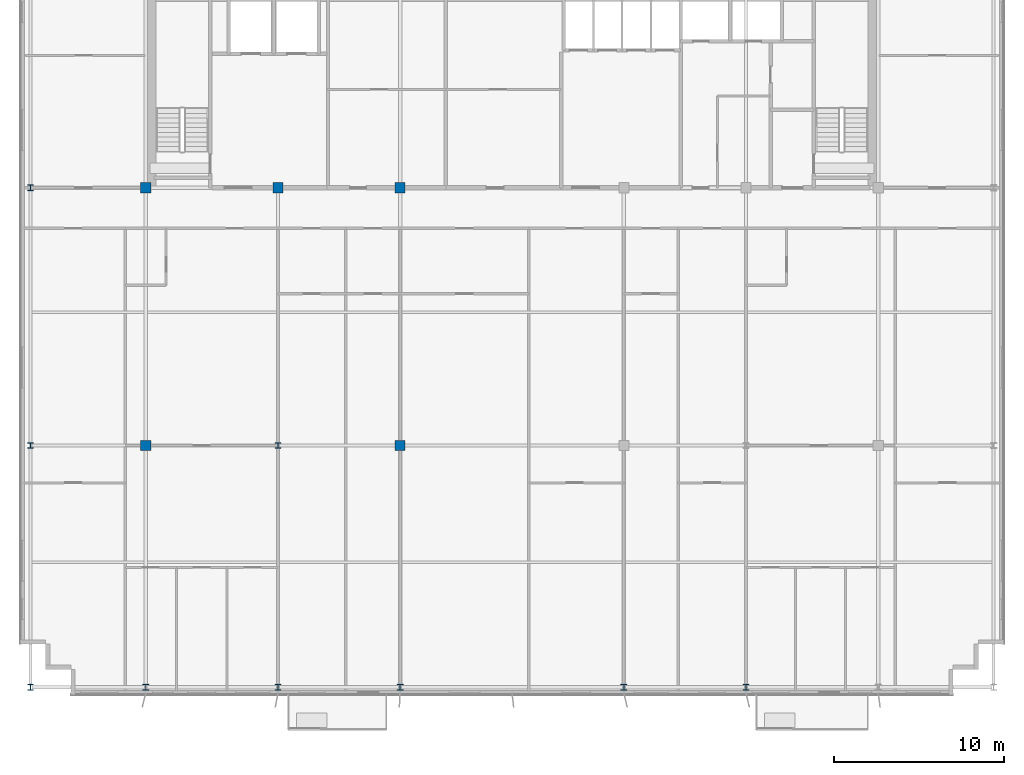
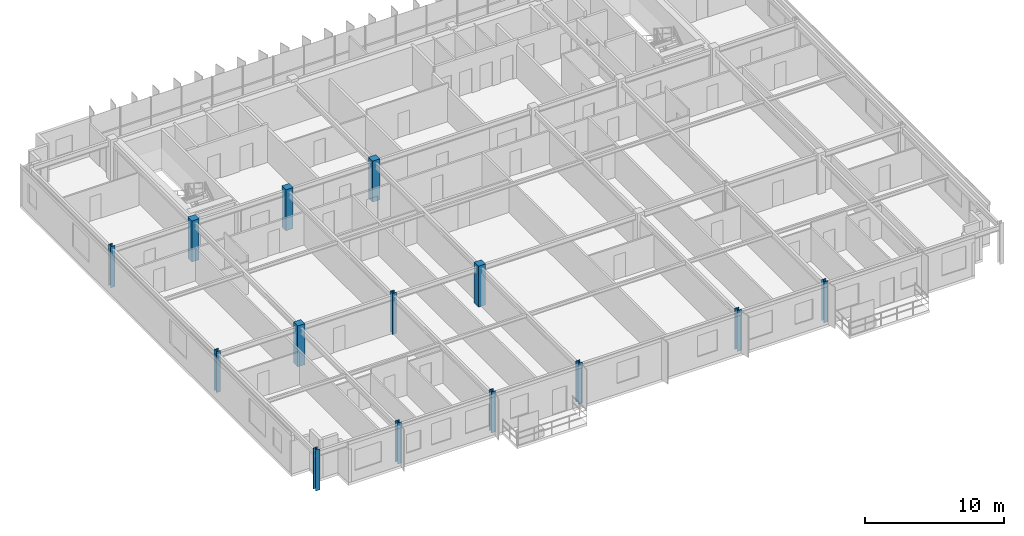
# One storey, part 1 of 22: 14 columns.
"""IFC4 building model written with IfcOpenShell, lengths in metres."""

from ifc_helpers import new_model, si_unit, direction, frame, origin, origin_2d, place, context, subcontext, project, spatial, rectangle, i_section, extrude, source, transform, mapped, material, material_profile, profile_set, type_object, element, save


model = new_model("IFC4")

# Units and contexts
model_context = context("Model", 3, precision=1e-05, world=origin(), true_north=direction((0.0, 1.0)))
body_context = subcontext(model_context, "Body", "Model", "MODEL_VIEW")
ifc_project = project(units=[si_unit("LENGTHUNIT", "METRE"), si_unit("AREAUNIT", "SQUARE_METRE"), si_unit("VOLUMEUNIT", "CUBIC_METRE"), si_unit("PLANEANGLEUNIT", "RADIAN"), si_unit("MASSUNIT", "GRAM", prefix="KILO")], contexts=[model_context])

# Site, building, storey
site_placement = place(None, origin())
site = spatial("IfcSite", under=ifc_project, at=site_placement, CompositionType="ELEMENT")
building_placement = place(site_placement, origin())
building = spatial("IfcBuilding", under=site, at=building_placement, Name="Trelvane Seafront Commons", CompositionType="ELEMENT")
storey_placement = place(building_placement, frame((0.0, 0.0, 281.10009765625)))
storey = spatial("IfcBuildingStorey", under=building, at=storey_placement, Name="L73", CompositionType="ELEMENT", Elevation=281.10009765625)

# Columns
ifc_material_1 = material(Name="Steel SM355 (S355)", Category="steel")
ifc_material_profile_1 = material_profile(ifc_material_1, i_section(OverallWidth=0.35009765625, OverallDepth=0.35009765625, WebThickness=0.01806640625, FlangeThickness=0.028076171875, at=origin_2d()), Name="HD-350x350x18x28")
ifc_profile_set_1 = profile_set([ifc_material_profile_1], Name="Steel SM355 (S355)")
column_type_1 = type_object("IfcColumnType", Name="STR-COL-HD350", PredefinedType="COLUMN", material=ifc_profile_set_1)
shared_shape_1 = source(origin(), body_context, "Body", "SweptSolid", [
    extrude(i_section(OverallWidth=0.35009765625, OverallDepth=0.35009765625, WebThickness=0.01806640625, FlangeThickness=0.028076171875, at=origin_2d()), origin(), (0.0, 0.0, 1.0), 3.599853515625),
])
for number, where, z_axis, x_axis, name in (
    (1, (8.800048828125, 3.949951171875, 0.0), (0.0, 0.0, 1.0), (1.0, 0.0, 0.0), "L73 Column TC-S8.8"),
    (2, (8.800048828125, 18.199951171875, 0.0), (0.0, 0.0, 1.0), (1.0, 0.0, 0.0), "L73 Column TC-M8.8"),
    (3, (8.800048828125, 33.39990234375, 0.0), (0.0, 0.0, 1.0), (1.0, 0.0, 0.0), "L73 Column TC-CS8.8"),
    (4, (15.60009765625, 3.949951171875, 0.0), (0.0, 0.0, 1.0), (1.0, 0.0, 0.0), "L73 Column TC-S15.6"),
    (5, (23.39990234375, 3.949951171875, 0.0), (0.0, 0.0, 1.0), (1.0, 0.0, 0.0), "L73 Column TC-S23.4"),
    (6, (23.39990234375, 18.199951171875, 0.0), (0.0, 0.0, 1.0), (1.0, 0.0, 0.0), "L73 Column TC-M23.4"),
    (7, (30.60009765625, 3.949951171875, 0.0), (0.0, 0.0, 1.0), (1.0, 0.0, 0.0), "L73 Column TC-S30.6"),
    (8, (43.800048828125, 3.949951171875, 0.0), (0.0, 0.0, 1.0), (1.0, 0.0, 0.0), "L73 Column TC-S43.8"),
    (9, (51.0, 3.949951171875, 0.0), (0.0, 0.0, 1.0), (1.0, 0.0, 0.0), "L73 Column TC-S51.0"),
):
    element("IfcColumn", number, at=place(storey_placement, frame(where, z_axis=z_axis, x_axis=x_axis)), inside=storey, type_object=column_type_1, Name=name, PredefinedType="COLUMN", context=body_context, shape_type="MappedRepresentation", body=[
        mapped(shared_shape_1, transform((0.0, 0.0, 0.0), x_axis=(1.0, 0.0, 0.0), y_axis=(0.0, 1.0, 0.0), z_axis=(0.0, 0.0, 1.0), scale=1.0)),
    ])
ifc_material_2 = material(Name="Concrete C50/60", Category="concrete")
ifc_material_profile_2 = material_profile(ifc_material_2, rectangle(XDim=0.60009765625, YDim=0.60009765625, at=origin_2d()), Name="RC-600x600")
ifc_profile_set_2 = profile_set([ifc_material_profile_2], Name="Concrete C50/60")
column_type_2 = type_object("IfcColumnType", Name="STR-COL-RC600", PredefinedType="COLUMN", material=ifc_profile_set_2)
shared_shape_2 = source(origin(), body_context, "Body", "SweptSolid", [
    extrude(rectangle(XDim=0.60009765625, YDim=0.60009765625, at=origin_2d()), origin(), (0.0, 0.0, 1.0), 3.599853515625),
])
for number, where, z_axis, x_axis, name in (
    (10, (15.60009765625, 18.199951171875, 0.0), (0.0, 0.0, 1.0), (1.0, 0.0, 0.0), "L73 Column TC-M15.6"),
    (11, (15.60009765625, 33.39990234375, 0.0), (0.0, 0.0, 1.0), (1.0, 0.0, 0.0), "L73 Column TC-CS15.6"),
    (12, (23.39990234375, 33.39990234375, 0.0), (0.0, 0.0, 1.0), (1.0, 0.0, 0.0), "L73 Column TC-CS23.4"),
    (13, (30.60009765625, 18.199951171875, 0.0), (0.0, 0.0, 1.0), (1.0, 0.0, 0.0), "L73 Column TC-M30.6"),
    (14, (30.60009765625, 33.39990234375, 0.0), (0.0, 0.0, 1.0), (1.0, 0.0, 0.0), "L73 Column TC-CS30.6"),
):
    element("IfcColumn", number, at=place(storey_placement, frame(where, z_axis=z_axis, x_axis=x_axis)), inside=storey, type_object=column_type_2, Name=name, PredefinedType="COLUMN", context=body_context, shape_type="MappedRepresentation", body=[
        mapped(shared_shape_2, transform((0.0, 0.0, 0.0), x_axis=(1.0, 0.0, 0.0), y_axis=(0.0, 1.0, 0.0), z_axis=(0.0, 0.0, 1.0), scale=1.0)),
    ])

save(model, "model.ifc")
